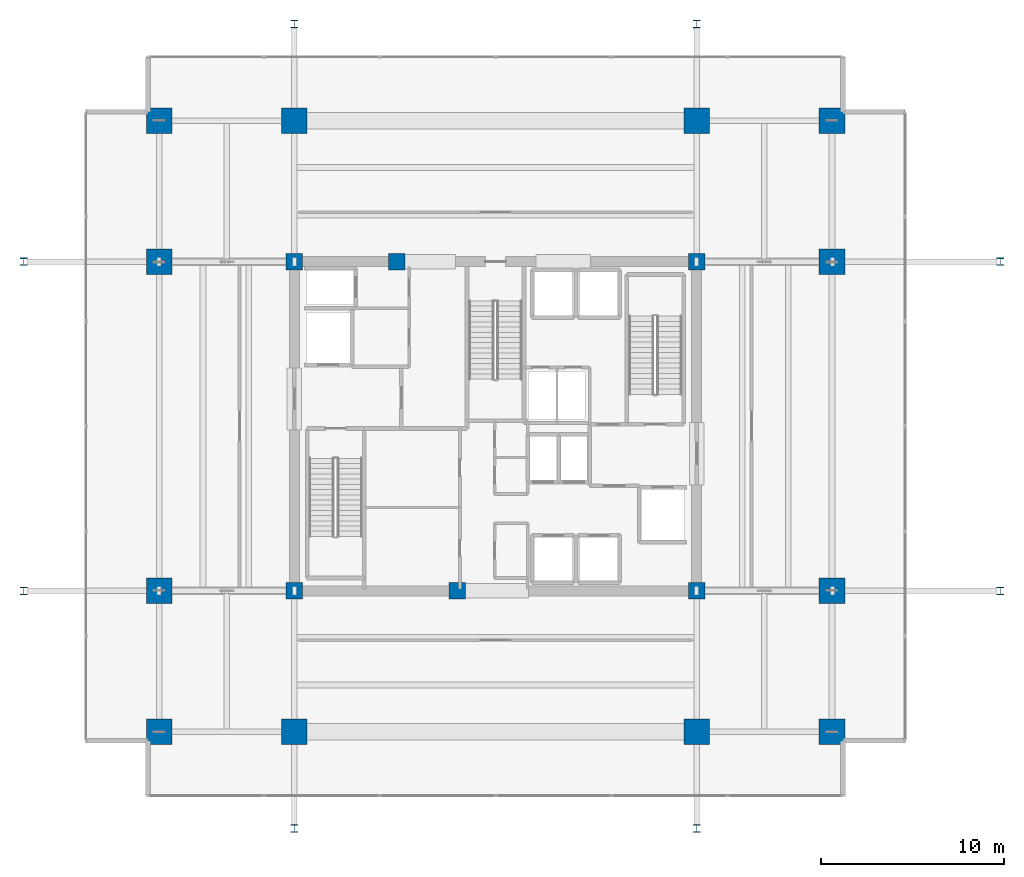
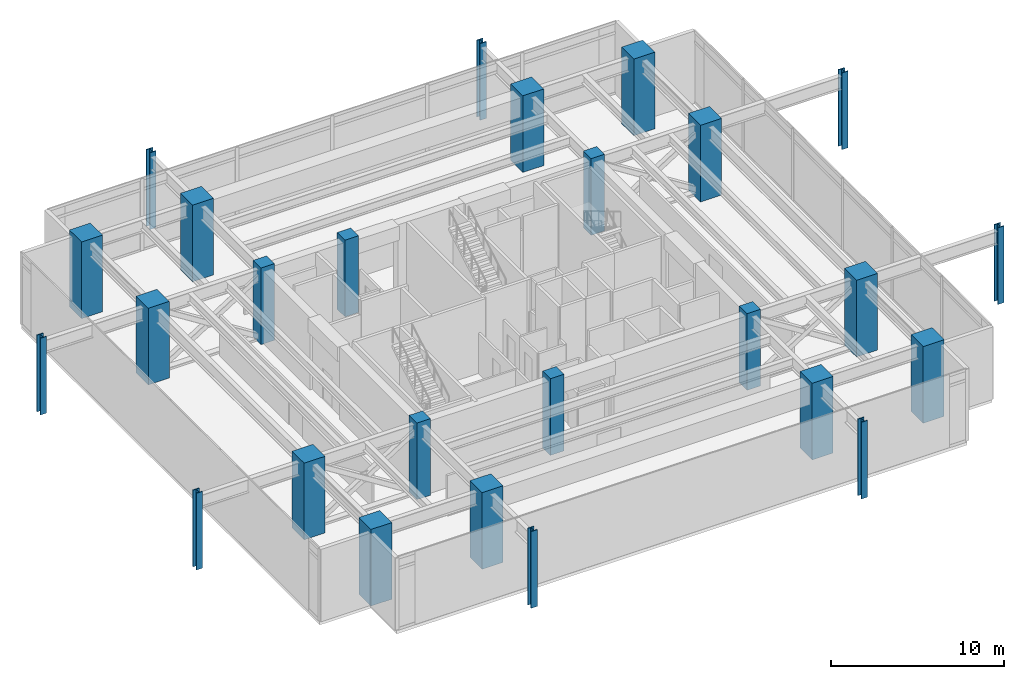
# One storey, part 1 of 21: 26 columns.
"""IFC4 building model written with IfcOpenShell, lengths in metres."""

from ifc_helpers import new_model, si_unit, direction, frame, origin, origin_2d, place, context, subcontext, project, spatial, rectangle, i_section, extrude, material, material_profile, profile_set, type_object, element, save


model = new_model("IFC4")

# Units and contexts
model_context = context("Model", 3, precision=1e-05, world=origin(), true_north=direction((0.0, 1.0)))
body_context = subcontext(model_context, "Body", "Model", "MODEL_VIEW")
ifc_project = project(units=[si_unit("LENGTHUNIT", "METRE"), si_unit("AREAUNIT", "SQUARE_METRE"), si_unit("VOLUMEUNIT", "CUBIC_METRE"), si_unit("PLANEANGLEUNIT", "RADIAN"), si_unit("MASSUNIT", "GRAM", prefix="KILO")], contexts=[model_context])

# Site, building, storey
site_placement = place(None, origin())
site = spatial("IfcSite", under=ifc_project, at=site_placement, CompositionType="ELEMENT")
building_placement = place(site_placement, origin())
building = spatial("IfcBuilding", under=site, at=building_placement, Name="Kovane Verandah Tower", CompositionType="ELEMENT")
storey_placement = place(building_placement, frame((0.0, 0.0, 189.39990234375)))
storey = spatial("IfcBuildingStorey", under=building, at=storey_placement, Name="L44", CompositionType="ELEMENT", Elevation=189.39990234375)

# Columns
ifc_material_1 = material(Name="Concrete C60/75", Category="concrete")
ifc_material_profile_1 = material_profile(ifc_material_1, rectangle(XDim=1.39990234375, YDim=1.39990234375, at=origin_2d()), Name="RC1400x1400")
ifc_profile_set_1 = profile_set([ifc_material_profile_1], Name="Concrete C60/75")
column_type_1 = type_object("IfcColumnType", Name="COL-RC1400", PredefinedType="COLUMN", material=ifc_profile_set_1)
for number, where, z_axis, x_axis, name in (
    (1, (29.0, 10.800048828125, 0.0), (0.0, 0.0, 1.0), (1.0, 0.0, 0.0), "L44 Tower Mega-Column MC-S1"),
    (2, (51.0, 10.800048828125, 0.0), (0.0, 0.0, 1.0), (1.0, 0.0, 0.0), "L44 Tower Mega-Column MC-S2"),
    (3, (29.0, 44.199951171875, 0.0), (0.0, 0.0, 1.0), (1.0, 0.0, 0.0), "L44 Tower Mega-Column MC-N1"),
    (4, (51.0, 44.199951171875, 0.0), (0.0, 0.0, 1.0), (1.0, 0.0, 0.0), "L44 Tower Mega-Column MC-N2"),
    (5, (21.60009765625, 18.5, 0.0), (0.0, 0.0, 1.0), (1.0, 0.0, 0.0), "L44 Tower Mega-Column MC-W1"),
    (6, (21.60009765625, 36.5, 0.0), (0.0, 0.0, 1.0), (1.0, 0.0, 0.0), "L44 Tower Mega-Column MC-W2"),
    (7, (58.39990234375, 18.5, 0.0), (0.0, 0.0, 1.0), (1.0, 0.0, 0.0), "L44 Tower Mega-Column MC-E1"),
    (8, (58.39990234375, 36.5, 0.0), (0.0, 0.0, 1.0), (1.0, 0.0, 0.0), "L44 Tower Mega-Column MC-E2"),
    (9, (21.60009765625, 10.800048828125, 0.0), (0.0, 0.0, 1.0), (1.0, 0.0, 0.0), "L44 Tower Mega-Column MC-SW"),
    (10, (58.39990234375, 10.800048828125, 0.0), (0.0, 0.0, 1.0), (1.0, 0.0, 0.0), "L44 Tower Mega-Column MC-SE"),
    (11, (21.60009765625, 44.199951171875, 0.0), (0.0, 0.0, 1.0), (1.0, 0.0, 0.0), "L44 Tower Mega-Column MC-NW"),
    (12, (58.39990234375, 44.199951171875, 0.0), (0.0, 0.0, 1.0), (1.0, 0.0, 0.0), "L44 Tower Mega-Column MC-NE"),
):
    element("IfcColumn", number, at=place(storey_placement, frame(where, z_axis=z_axis, x_axis=x_axis)), inside=storey, type_object=column_type_1, Name=name, PredefinedType="COLUMN", context=body_context, shape_type="SweptSolid", body=[
        extrude(rectangle(XDim=1.39990234375, YDim=1.39990234375, at=origin_2d()), origin(), (0.0, 0.0, 1.0), 5.400146484375),
    ])
ifc_material_2 = material(Name="Steel S460", Category="steel")
ifc_material_profile_2 = material_profile(ifc_material_2, i_section(OverallWidth=0.412109375, OverallDepth=0.4365234375, WebThickness=0.035888671875, FlangeThickness=0.05810546875, FilletRadius=0.01513671875, at=origin_2d()), Name="UC356x406x467")
ifc_profile_set_2 = profile_set([ifc_material_profile_2], Name="Steel S460")
column_type_2 = type_object("IfcColumnType", Name="COL-UC467", PredefinedType="COLUMN", material=ifc_profile_set_2)
for number, where, z_axis, x_axis, name in (
    (13, (14.199951171875, 18.5, 0.0), (0.0, 0.0, 1.0), (1.0, 0.0, 0.0), "L44 Verandah Perimeter Column VC-W1"),
    (14, (14.199951171875, 36.5, 0.0), (0.0, 0.0, 1.0), (1.0, 0.0, 0.0), "L44 Verandah Perimeter Column VC-W2"),
    (15, (67.60009765625, 18.5, 0.0), (0.0, 0.0, 1.0), (1.0, 0.0, 0.0), "L44 Verandah Perimeter Column VC-E1"),
    (16, (67.60009765625, 36.5, 0.0), (0.0, 0.0, 1.0), (1.0, 0.0, 0.0), "L44 Verandah Perimeter Column VC-E2"),
    (17, (29.0, 5.5, 0.0), (0.0, 0.0, 1.0), (1.0, 0.0, 0.0), "L44 Verandah Perimeter Column VC-S1"),
    (18, (51.0, 5.5, 0.0), (0.0, 0.0, 1.0), (1.0, 0.0, 0.0), "L44 Verandah Perimeter Column VC-S2"),
    (19, (29.0, 49.5, 0.0), (0.0, 0.0, 1.0), (1.0, 0.0, 0.0), "L44 Verandah Perimeter Column VC-N1"),
    (20, (51.0, 49.5, 0.0), (0.0, 0.0, 1.0), (1.0, 0.0, 0.0), "L44 Verandah Perimeter Column VC-N2"),
):
    element("IfcColumn", number, at=place(storey_placement, frame(where, z_axis=z_axis, x_axis=x_axis)), inside=storey, type_object=column_type_2, Name=name, PredefinedType="COLUMN", context=body_context, shape_type="SweptSolid", body=[
        extrude(i_section(OverallWidth=0.412109375, OverallDepth=0.4365234375, WebThickness=0.035888671875, FlangeThickness=0.05810546875, FilletRadius=0.01513671875, at=origin_2d()), origin(), (0.0, 0.0, 1.0), 5.400146484375),
    ])
ifc_material_profile_3 = material_profile(ifc_material_1, rectangle(XDim=0.89990234375, YDim=0.89990234375, at=origin_2d()), Name="RC900x900")
ifc_profile_set_3 = profile_set([ifc_material_profile_3], Name="Concrete C60/75")
column_type_3 = type_object("IfcColumnType", Name="PIL-RC900", PredefinedType="PILASTER", material=ifc_profile_set_3)
for number, where, z_axis, x_axis, name in (
    (21, (29.0, 18.5, 0.0), (0.0, 0.0, 1.0), (1.0, 0.0, 0.0), "L44 Core Pilaster CP-SW"),
    (22, (51.0, 18.5, 0.0), (0.0, 0.0, 1.0), (1.0, 0.0, 0.0), "L44 Core Pilaster CP-SE"),
    (23, (29.0, 36.5, 0.0), (0.0, 0.0, 1.0), (1.0, 0.0, 0.0), "L44 Core Pilaster CP-NW"),
    (24, (51.0, 36.5, 0.0), (0.0, 0.0, 1.0), (1.0, 0.0, 0.0), "L44 Core Pilaster CP-NE"),
    (25, (37.89990234375, 18.5, 0.0), (0.0, 0.0, 1.0), (1.0, 0.0, 0.0), "L44 Core Pilaster CP-S"),
    (26, (34.60009765625, 36.5, 0.0), (0.0, 0.0, 1.0), (1.0, 0.0, 0.0), "L44 Core Pilaster CP-N"),
):
    element("IfcColumn", number, at=place(storey_placement, frame(where, z_axis=z_axis, x_axis=x_axis)), inside=storey, type_object=column_type_3, Name=name, PredefinedType="PILASTER", context=body_context, shape_type="SweptSolid", body=[
        extrude(rectangle(XDim=0.89990234375, YDim=0.89990234375, at=origin_2d()), origin(), (0.0, 0.0, 1.0), 5.400146484375),
    ])

save(model, "model.ifc")
